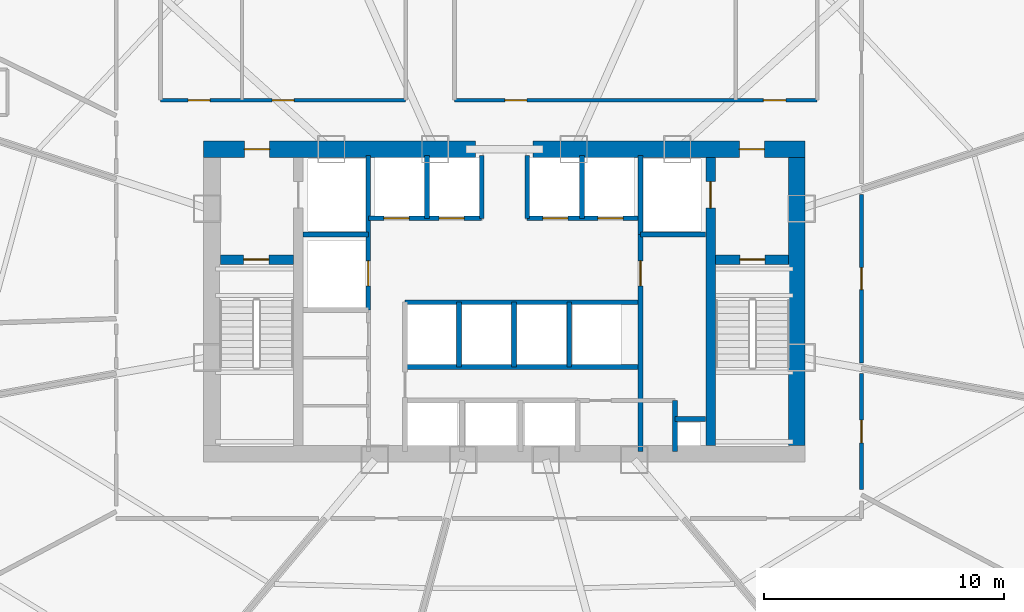
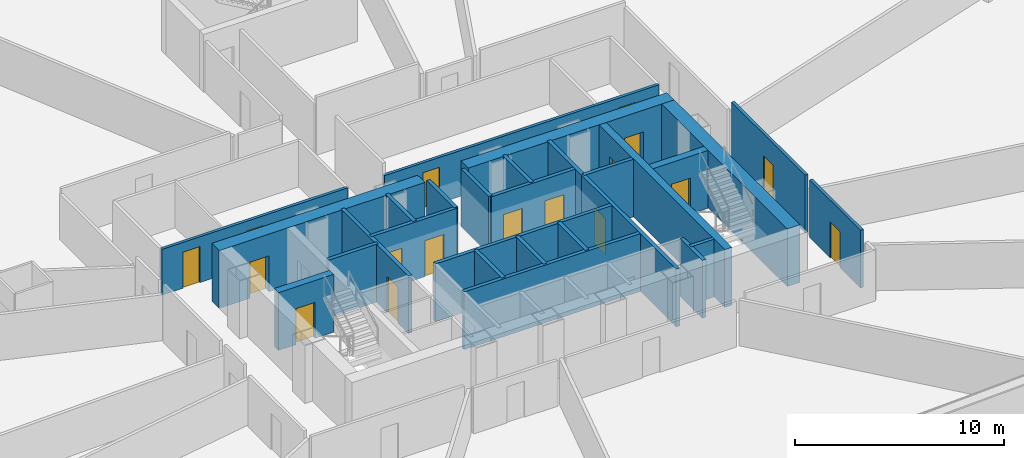
# One storey, part 30 of 37: 28 walls, 17 doors, 17 openings.
"""IFC4 building model written with IfcOpenShell, lengths in metres."""

from ifc_helpers import new_model, si_unit, direction, frame, frame_2d, origin, origin_with_axes, place, context, subcontext, project, spatial, rectangle, extrude, source, transform, mapped, material, layer, layer_set, type_object, element, fill, save


model = new_model("IFC4")

# Units and contexts
model_context = context("Model", 3, precision=1e-05, world=origin(), true_north=direction((0.0, 1.0)))
body_context = subcontext(model_context, "Body", "Model", "MODEL_VIEW")
ifc_project = project(units=[si_unit("LENGTHUNIT", "METRE"), si_unit("AREAUNIT", "SQUARE_METRE"), si_unit("VOLUMEUNIT", "CUBIC_METRE"), si_unit("PLANEANGLEUNIT", "RADIAN"), si_unit("MASSUNIT", "GRAM", prefix="KILO"), si_unit("THERMODYNAMICTEMPERATUREUNIT", "KELVIN"), si_unit("POWERUNIT", "WATT")], contexts=[model_context])

# Site, building, storey
site_placement = place(None, origin())
site = spatial("IfcSite", under=ifc_project, at=site_placement, CompositionType="ELEMENT")
building_placement = place(site_placement, origin())
building = spatial("IfcBuilding", under=site, at=building_placement, Name="Yunzhuo Pagoda Commons", CompositionType="ELEMENT")
storey_placement = place(building_placement, frame((0.0, 0.0, 59.43994140625)))
storey = spatial("IfcBuildingStorey", under=building, at=storey_placement, Name="L15", CompositionType="ELEMENT", Elevation=59.43994140625)

# Wall, opening, door
ifc_material_1 = material(Name="Concrete C60", Category="concrete")
ifc_layer_1 = layer(ifc_material_1, 0.699951171875)
ifc_layer_set_1 = layer_set([ifc_layer_1], Name="Concrete C60")
wall_type_1 = type_object("IfcWallType", Name="W-C01 Lower Core Shear Wall 700", PredefinedType="SHEAR", material=ifc_layer_set_1)
wall_1_placement = place(storey_placement, frame((35.449951171875, 40.199951171875, 0.0), z_axis=(0.0, 0.0, 1.0), x_axis=(1.0, 0.0, 0.0)))
wall_1 = element("IfcWall", 1, at=wall_1_placement, inside=storey, type_object=wall_type_1, Name="L15 core shear wall NW", PredefinedType="SHEAR", context=body_context, shape_type="SweptSolid", body=[
    extrude(rectangle(XDim=11.35009765625, YDim=0.699951171875, at=frame_2d((5.675048828125, 0.0))), origin(), (0.0, 0.0, 1.0), 3.3701171875),
])
opening_1_placement = place(wall_1_placement, frame((1.699951171875, 0.0, 0.0)))
opening_1 = element("IfcOpeningElement", 2, at=opening_1_placement, cuts=wall_1, Name="Opening D-02", PredefinedType="OPENING", context=body_context, shape_type="SweptSolid", body=[
    extrude(rectangle(XDim=1.050048828125, YDim=2.10009765625, at=frame_2d((0.52490234375, 1.050048828125))), frame((0.0, 0.35986328125, 0.0), z_axis=(0.0, -1.0, 0.0), x_axis=(1.0, 0.0, 0.0)), (0.0, 0.0, 1.0), 0.719970703125),
])
ifc_material_2 = material(Name="Galvanized fire-resisting metal leaf")
door_type_1 = type_object("IfcDoorType", Name="D-02 Firefighting Lobby & Refuge Fire Door 1050x2100", OperationType="NOTDEFINED", PredefinedType="DOOR", material=ifc_material_2)
shared_shape_1 = source(origin(), body_context, "Body", "SweptSolid", [
    extrude(rectangle(XDim=1.050048828125, YDim=2.10009765625, at=frame_2d((0.52490234375, 1.050048828125))), frame((0.0, 0.02490234375, 0.0), z_axis=(0.0, -1.0, 0.0), x_axis=(1.0, 0.0, 0.0)), (0.0, 0.0, 1.0), 0.050048828125),
])
door_1_placement = place(opening_1_placement, frame((1.050048828125, 0.0, 0.0), z_axis=(0.0, 0.0, 1.0), x_axis=(-1.0, 0.0, 0.0)))
door_1 = element("IfcDoor", 3, at=door_1_placement, inside=storey, type_object=door_type_1, Name="L15 Firefighting Lobby 1 fire door", OperationType="SINGLE_SWING_LEFT", OverallHeight=2.10009765625, OverallWidth=1.050048828125, PredefinedType="DOOR", context=body_context, shape_type="MappedRepresentation", body=[
    mapped(shared_shape_1, transform((0.0, 0.0, 0.0), scale=1.0)),
])
fill(opening_1, door_1)

wall_2_placement = place(storey_placement, frame((49.199951171875, 40.199951171875, 0.0), z_axis=(0.0, 0.0, 1.0), x_axis=(1.0, 0.0, 0.0)))
wall_2 = element("IfcWall", 4, at=wall_2_placement, inside=storey, type_object=wall_type_1, Name="L15 core shear wall NE", PredefinedType="SHEAR", context=body_context, shape_type="SweptSolid", body=[
    extrude(rectangle(XDim=11.35009765625, YDim=0.699951171875, at=frame_2d((5.675048828125, 0.0))), origin(), (0.0, 0.0, 1.0), 3.3701171875),
])
opening_2_placement = place(wall_2_placement, frame((8.60009765625, 0.0, 0.0)))
opening_2 = element("IfcOpeningElement", 5, at=opening_2_placement, cuts=wall_2, Name="Opening D-02", PredefinedType="OPENING", context=body_context, shape_type="SweptSolid", body=[
    extrude(rectangle(XDim=1.050048828125, YDim=2.10009765625, at=frame_2d((0.52490234375, 1.050048828125))), frame((0.0, 0.35986328125, 0.0), z_axis=(0.0, -1.0, 0.0), x_axis=(1.0, 0.0, 0.0)), (0.0, 0.0, 1.0), 0.719970703125),
])
door_2_placement = place(opening_2_placement, frame((1.050048828125, 0.0, 0.0), z_axis=(0.0, 0.0, 1.0), x_axis=(-1.0, 0.0, 0.0)))
door_2 = element("IfcDoor", 6, at=door_2_placement, inside=storey, type_object=door_type_1, Name="L15 Firefighting Lobby 2 fire door", OperationType="SINGLE_SWING_RIGHT", OverallHeight=2.10009765625, OverallWidth=1.050048828125, PredefinedType="DOOR", context=body_context, shape_type="MappedRepresentation", body=[
    mapped(shared_shape_1, transform((0.0, 0.0, 0.0), scale=1.0)),
])
fill(opening_2, door_2)

# Wall
wall_3_placement = place(storey_placement, frame((60.199951171875, 27.85009765625, 0.0), z_axis=(0.0, 0.0, 1.0), x_axis=(0.0, 1.0, 0.0)))
element("IfcWall", 7, at=wall_3_placement, inside=storey, type_object=wall_type_1, Name="L15 core shear wall E", PredefinedType="SHEAR", context=body_context, shape_type="SweptSolid", body=[
    extrude(rectangle(XDim=12.0, YDim=0.699951171875, at=frame_2d((6.0, 0.0))), origin(), (0.0, 0.0, 1.0), 3.3701171875),
])

# Wall, openings, doors
ifc_material_3 = material(Name="Gypsum plasterboard on acoustic stud")
ifc_layer_2 = layer(ifc_material_3, 0.159912109375)
ifc_layer_set_2 = layer_set([ifc_layer_2], Name="Gypsum plasterboard on acoustic stud")
wall_type_2 = type_object("IfcWallType", Name="W-COR1 Tower Rated Corridor Wall 160", PredefinedType="PARTITIONING", material=ifc_layer_set_2)
wall_4_placement = place(storey_placement, frame((33.64990234375, 42.25, 0.0), z_axis=(0.0, 0.0, 1.0), x_axis=(1.0, 0.0, 0.0)))
wall_4 = element("IfcWall", 8, at=wall_4_placement, inside=storey, type_object=wall_type_2, Name="L15 interior wall IW-L15-ISLWS", PredefinedType="PARTITIONING", context=body_context, shape_type="SweptSolid", body=[
    extrude(rectangle(XDim=10.22998046875, YDim=0.159912109375, at=frame_2d((5.114990234375, 0.0))), origin(), (0.0, 0.0, 1.0), 2.670166015625),
])
opening_3_placement = place(wall_4_placement, frame((1.14990234375, 0.0, 0.0)))
opening_3 = element("IfcOpeningElement", 9, at=opening_3_placement, cuts=wall_4, Name="Opening D-04", PredefinedType="OPENING", context=body_context, shape_type="SweptSolid", body=[
    extrude(rectangle(XDim=0.919921875, YDim=2.10009765625, at=frame_2d((0.4599609375, 1.050048828125))), frame((0.0, 0.08984375, 0.0), z_axis=(0.0, -1.0, 0.0), x_axis=(1.0, 0.0, 0.0)), (0.0, 0.0, 1.0), 0.179931640625),
])
opening_4_placement = place(wall_4_placement, frame((4.64990234375, 0.0, 0.0)))
opening_4 = element("IfcOpeningElement", 10, at=opening_4_placement, cuts=wall_4, Name="Opening D-04", PredefinedType="OPENING", context=body_context, shape_type="SweptSolid", body=[
    extrude(rectangle(XDim=0.919921875, YDim=2.10009765625, at=frame_2d((0.4599609375, 1.050048828125))), frame((0.0, 0.08984375, 0.0), z_axis=(0.0, -1.0, 0.0), x_axis=(1.0, 0.0, 0.0)), (0.0, 0.0, 1.0), 0.179931640625),
])
ifc_material_4 = material(Name="Powder-coated aluminium and timber acoustic leaf", Category="wood")
door_type_2 = type_object("IfcDoorType", Name="D-04 Bedroom & Study Interior Door 920x2100", OperationType="NOTDEFINED", PredefinedType="DOOR", material=ifc_material_4)
shared_shape_2 = source(origin(), body_context, "Body", "SweptSolid", [
    extrude(rectangle(XDim=0.919921875, YDim=2.10009765625, at=frame_2d((0.4599609375, 1.050048828125))), frame((0.0, 0.02490234375, 0.0), z_axis=(0.0, -1.0, 0.0), x_axis=(1.0, 0.0, 0.0)), (0.0, 0.0, 1.0), 0.050048828125),
])
door_3_placement = place(opening_3_placement, frame((0.919921875, 0.0, 0.0), z_axis=(0.0, 0.0, 1.0), x_axis=(-1.0, 0.0, 0.0)))
door_3 = element("IfcDoor", 11, at=door_3_placement, inside=storey, type_object=door_type_2, Name="L15 laundry door", OperationType="SINGLE_SWING_LEFT", OverallHeight=2.10009765625, OverallWidth=0.919921875, PredefinedType="DOOR", context=body_context, shape_type="MappedRepresentation", body=[
    mapped(shared_shape_2, transform((0.0, 0.0, 0.0), scale=1.0)),
])
fill(opening_3, door_3)
door_4_placement = place(opening_4_placement, frame((0.919921875, 0.0, 0.0), z_axis=(0.0, 0.0, 1.0), x_axis=(-1.0, 0.0, 0.0)))
door_4 = element("IfcDoor", 12, at=door_4_placement, inside=storey, type_object=door_type_2, Name="L15 study commons W door", OperationType="SINGLE_SWING_RIGHT", OverallHeight=2.10009765625, OverallWidth=0.919921875, PredefinedType="DOOR", context=body_context, shape_type="MappedRepresentation", body=[
    mapped(shared_shape_2, transform((0.0, 0.0, 0.0), scale=1.0)),
])
fill(opening_4, door_4)

wall_5_placement = place(storey_placement, frame((45.919921875, 42.25, 0.0), z_axis=(0.0, 0.0, 1.0), x_axis=(1.0, 0.0, 0.0)))
wall_5 = element("IfcWall", 13, at=wall_5_placement, inside=storey, type_object=wall_type_2, Name="L15 interior wall IW-L15-ISLES", PredefinedType="PARTITIONING", context=body_context, shape_type="SweptSolid", body=[
    extrude(rectangle(XDim=15.130126953125, YDim=0.159912109375, at=frame_2d((7.56494140625, 0.0))), origin(), (0.0, 0.0, 1.0), 2.670166015625),
])
opening_5_placement = place(wall_5_placement, frame((2.10009765625, 0.0, 0.0)))
opening_5 = element("IfcOpeningElement", 14, at=opening_5_placement, cuts=wall_5, Name="Opening D-04", PredefinedType="OPENING", context=body_context, shape_type="SweptSolid", body=[
    extrude(rectangle(XDim=0.919921875, YDim=2.10009765625, at=frame_2d((0.4599609375, 1.050048828125))), frame((0.0, 0.08984375, 0.0), z_axis=(0.0, -1.0, 0.0), x_axis=(1.0, 0.0, 0.0)), (0.0, 0.0, 1.0), 0.179931640625),
])
opening_6_placement = place(wall_5_placement, frame((12.8798828125, 0.0, 0.0)))
opening_6 = element("IfcOpeningElement", 15, at=opening_6_placement, cuts=wall_5, Name="Opening D-11", PredefinedType="OPENING", context=body_context, shape_type="SweptSolid", body=[
    extrude(rectangle(XDim=0.93994140625, YDim=2.10009765625, at=frame_2d((0.469970703125, 1.050048828125))), frame((0.0, 0.08984375, 0.0), z_axis=(0.0, -1.0, 0.0), x_axis=(1.0, 0.0, 0.0)), (0.0, 0.0, 1.0), 0.179931640625),
])
door_type_3 = type_object("IfcDoorType", Name="D-11 Accessible Washroom Fire Door 940x2100", OperationType="NOTDEFINED", PredefinedType="DOOR", material=ifc_material_2)
shared_shape_3 = source(origin(), body_context, "Body", "SweptSolid", [
    extrude(rectangle(XDim=0.93994140625, YDim=2.10009765625, at=frame_2d((0.469970703125, 1.050048828125))), frame((0.0, 0.02490234375, 0.0), z_axis=(0.0, -1.0, 0.0), x_axis=(1.0, 0.0, 0.0)), (0.0, 0.0, 1.0), 0.050048828125),
])
door_5_placement = place(opening_6_placement, frame((0.93994140625, 0.0, 0.0), z_axis=(0.0, 0.0, 1.0), x_axis=(-1.0, 0.0, 0.0)))
door_5 = element("IfcDoor", 16, at=door_5_placement, inside=storey, type_object=door_type_3, Name="L15 accessible WC door", OperationType="SINGLE_SWING_RIGHT", OverallHeight=2.10009765625, OverallWidth=0.93994140625, PredefinedType="DOOR", context=body_context, shape_type="MappedRepresentation", body=[
    mapped(shared_shape_3, transform((0.0, 0.0, 0.0), scale=1.0)),
])
fill(opening_6, door_5)
door_6_placement = place(opening_5_placement, frame((0.919921875, 0.0, 0.0), z_axis=(0.0, 0.0, 1.0), x_axis=(-1.0, 0.0, 0.0)))
door_6 = element("IfcDoor", 17, at=door_6_placement, inside=storey, type_object=door_type_2, Name="L15 reading commons door", OperationType="SINGLE_SWING_LEFT", OverallHeight=2.10009765625, OverallWidth=0.919921875, PredefinedType="DOOR", context=body_context, shape_type="MappedRepresentation", body=[
    mapped(shared_shape_2, transform((0.0, 0.0, 0.0), scale=1.0)),
])
fill(opening_5, door_6)

# Wall, opening, door
wall_6_placement = place(storey_placement, frame((62.89990234375, 38.321533203125, 0.0), z_axis=(0.0, 0.0, 1.0), x_axis=(0.0, -1.0, 0.0)))
wall_6 = element("IfcWall", 18, at=wall_6_placement, inside=storey, type_object=wall_type_2, Name="L15 interior wall IW-L15-CWL14", PredefinedType="PARTITIONING", context=body_context, shape_type="SweptSolid", body=[
    extrude(rectangle(XDim=7.029052734375, YDim=0.159912109375, at=frame_2d((3.5146484375, 0.0))), origin(), (0.0, 0.0, 1.0), 3.3701171875),
])
opening_7_placement = place(wall_6_placement, frame((3.054443359375, 0.0, 0.0)))
opening_7 = element("IfcOpeningElement", 19, at=opening_7_placement, cuts=wall_6, Name="Opening D-04", PredefinedType="OPENING", context=body_context, shape_type="SweptSolid", body=[
    extrude(rectangle(XDim=0.919921875, YDim=2.10009765625, at=frame_2d((0.4599609375, 1.050048828125))), frame((0.0, 0.08984375, 0.0), z_axis=(0.0, -1.0, 0.0), x_axis=(1.0, 0.0, 0.0)), (0.0, 0.0, 1.0), 0.179931640625),
])
door_7_placement = place(opening_7_placement, origin_with_axes())
door_7 = element("IfcDoor", 20, at=door_7_placement, inside=storey, type_object=door_type_2, Name="L15 seminar room 01 door", OperationType="SINGLE_SWING_LEFT", OverallHeight=2.10009765625, OverallWidth=0.919921875, PredefinedType="DOOR", context=body_context, shape_type="MappedRepresentation", body=[
    mapped(shared_shape_2, transform((0.0, 0.0, 0.0), scale=1.0)),
])
fill(opening_7, door_7)

wall_7_placement = place(storey_placement, frame((62.89990234375, 30.849365234375, 0.0), z_axis=(0.0, 0.0, 1.0), x_axis=(0.0, -1.0, 0.0)))
wall_7 = element("IfcWall", 21, at=wall_7_placement, inside=storey, type_object=wall_type_2, Name="L15 interior wall IW-L15-CWL15", PredefinedType="PARTITIONING", context=body_context, shape_type="SweptSolid", body=[
    extrude(rectangle(XDim=4.851806640625, YDim=0.159912109375, at=frame_2d((2.42578125, 0.0))), origin(), (0.0, 0.0, 1.0), 3.3701171875),
])
opening_8_placement = place(wall_7_placement, frame((1.94921875, 0.0, 0.0)))
opening_8 = element("IfcOpeningElement", 22, at=opening_8_placement, cuts=wall_7, Name="Opening D-06", PredefinedType="OPENING", context=body_context, shape_type="SweptSolid", body=[
    extrude(rectangle(XDim=0.949951171875, YDim=2.10009765625, at=frame_2d((0.47509765625, 1.050048828125))), frame((0.0, 0.08984375, 0.0), z_axis=(0.0, -1.0, 0.0), x_axis=(1.0, 0.0, 0.0)), (0.0, 0.0, 1.0), 0.179931640625),
])
door_type_4 = type_object("IfcDoorType", Name="D-06 Co-Living Suite Entrance Fire Door 950x2100", OperationType="NOTDEFINED", PredefinedType="DOOR", material=ifc_material_2)
shared_shape_4 = source(origin(), body_context, "Body", "SweptSolid", [
    extrude(rectangle(XDim=0.949951171875, YDim=2.10009765625, at=frame_2d((0.47509765625, 1.050048828125))), frame((0.0, 0.02490234375, 0.0), z_axis=(0.0, -1.0, 0.0), x_axis=(1.0, 0.0, 0.0)), (0.0, 0.0, 1.0), 0.050048828125),
])
door_8_placement = place(opening_8_placement, origin_with_axes())
door_8 = element("IfcDoor", 23, at=door_8_placement, inside=storey, type_object=door_type_4, Name="L15 unit 14 entrance door", OperationType="SINGLE_SWING_RIGHT", OverallHeight=2.10009765625, OverallWidth=0.949951171875, PredefinedType="DOOR", context=body_context, shape_type="MappedRepresentation", body=[
    mapped(shared_shape_4, transform((0.0, 0.0, 0.0), scale=1.0)),
])
fill(opening_8, door_8)

ifc_layer_3 = layer(ifc_material_1, 0.39990234375)
ifc_layer_set_3 = layer_set([ifc_layer_3], Name="Concrete C60")
wall_type_3 = type_object("IfcWallType", Name="W-S01 Internal Core Shear Web 400", PredefinedType="SHEAR", material=ifc_layer_set_3)
wall_8_placement = place(storey_placement, frame((56.60009765625, 27.85009765625, 0.0), z_axis=(0.0, 0.0, 1.0), x_axis=(0.0, 1.0, 0.0)))
wall_8 = element("IfcWall", 24, at=wall_8_placement, inside=storey, type_object=wall_type_3, Name="L15 core shear wall WEBE", PredefinedType="SHEAR", context=body_context, shape_type="SweptSolid", body=[
    extrude(rectangle(XDim=12.0, YDim=0.39990234375, at=frame_2d((6.0, 0.0))), origin(), (0.0, 0.0, 1.0), 3.3701171875),
])
opening_9_placement = place(wall_8_placement, frame((9.89990234375, 0.0, 0.0)))
opening_9 = element("IfcOpeningElement", 25, at=opening_9_placement, cuts=wall_8, Name="Opening LD-01", PredefinedType="OPENING", context=body_context, shape_type="SweptSolid", body=[
    extrude(rectangle(XDim=1.10009765625, YDim=2.10009765625, at=frame_2d((0.550048828125, 1.050048828125))), frame((0.0, 0.2099609375, 0.0), z_axis=(0.0, -1.0, 0.0), x_axis=(1.0, 0.0, 0.0)), (0.0, 0.0, 1.0), 0.419921875),
])
door_type_5 = type_object("IfcDoorType", Name="LD-01 Firefighting Lift Landing Door 1100x2100", OperationType="DOUBLE_DOOR_SLIDING", PredefinedType="DOOR", material=ifc_material_2)
shared_shape_5 = source(origin(), body_context, "Body", "SweptSolid", [
    extrude(rectangle(XDim=1.10009765625, YDim=2.10009765625, at=frame_2d((0.550048828125, 1.050048828125))), frame((0.0, 0.02490234375, 0.0), z_axis=(0.0, -1.0, 0.0), x_axis=(1.0, 0.0, 0.0)), (0.0, 0.0, 1.0), 0.050048828125),
])
door_9_placement = place(opening_9_placement, origin_with_axes())
door_9 = element("IfcDoor", 26, at=door_9_placement, inside=storey, type_object=door_type_5, Name="L15 Firefighting lift FL-2 landing door", OperationType="DOUBLE_DOOR_SLIDING", OverallHeight=2.10009765625, OverallWidth=1.10009765625, PredefinedType="DOOR", context=body_context, shape_type="MappedRepresentation", body=[
    mapped(shared_shape_5, transform((0.0, 0.0, 0.0), scale=1.0)),
])
fill(opening_9, door_9)

wall_9_placement = place(storey_placement, frame((36.14990234375, 35.60009765625, 0.0), z_axis=(0.0, 0.0, 1.0), x_axis=(1.0, 0.0, 0.0)))
wall_9 = element("IfcWall", 27, at=wall_9_placement, inside=storey, type_object=wall_type_3, Name="L15 core shear wall STW", PredefinedType="SHEAR", context=body_context, shape_type="SweptSolid", body=[
    extrude(rectangle(XDim=3.050048828125, YDim=0.39990234375, at=frame_2d((1.52490234375, 0.0))), origin(), (0.0, 0.0, 1.0), 3.3701171875),
])
opening_10_placement = place(wall_9_placement, frame((0.969970703125, 0.0, 0.0)))
opening_10 = element("IfcOpeningElement", 28, at=opening_10_placement, cuts=wall_9, Name="Opening D-01", PredefinedType="OPENING", context=body_context, shape_type="SweptSolid", body=[
    extrude(rectangle(XDim=1.050048828125, YDim=2.10009765625, at=frame_2d((0.52490234375, 1.050048828125))), frame((0.0, 0.2099609375, 0.0), z_axis=(0.0, -1.0, 0.0), x_axis=(1.0, 0.0, 0.0)), (0.0, 0.0, 1.0), 0.419921875),
])
door_type_6 = type_object("IfcDoorType", Name="D-01 Smokeproof Stair Fire Door 1050x2100", OperationType="NOTDEFINED", PredefinedType="DOOR", material=ifc_material_2)
door_10_placement = place(opening_10_placement, frame((1.050048828125, 0.0, 0.0), z_axis=(0.0, 0.0, 1.0), x_axis=(-1.0, 0.0, 0.0)))
door_10 = element("IfcDoor", 29, at=door_10_placement, inside=storey, type_object=door_type_6, Name="L15 Stair ST1 fire door", OperationType="SINGLE_SWING_LEFT", OverallHeight=2.10009765625, OverallWidth=1.050048828125, PredefinedType="DOOR", context=body_context, shape_type="MappedRepresentation", body=[
    mapped(shared_shape_1, transform((0.0, 0.0, 0.0), scale=1.0)),
])
fill(opening_10, door_10)

wall_10_placement = place(storey_placement, frame((56.800048828125, 35.60009765625, 0.0), z_axis=(0.0, 0.0, 1.0), x_axis=(1.0, 0.0, 0.0)))
wall_10 = element("IfcWall", 30, at=wall_10_placement, inside=storey, type_object=wall_type_3, Name="L15 core shear wall STE", PredefinedType="SHEAR", context=body_context, shape_type="SweptSolid", body=[
    extrude(rectangle(XDim=3.050048828125, YDim=0.39990234375, at=frame_2d((1.52490234375, 0.0))), origin(), (0.0, 0.0, 1.0), 3.3701171875),
])
opening_11_placement = place(wall_10_placement, frame((1.02001953125, 0.0, 0.0)))
opening_11 = element("IfcOpeningElement", 31, at=opening_11_placement, cuts=wall_10, Name="Opening D-01", PredefinedType="OPENING", context=body_context, shape_type="SweptSolid", body=[
    extrude(rectangle(XDim=1.050048828125, YDim=2.10009765625, at=frame_2d((0.52490234375, 1.050048828125))), frame((0.0, 0.2099609375, 0.0), z_axis=(0.0, -1.0, 0.0), x_axis=(1.0, 0.0, 0.0)), (0.0, 0.0, 1.0), 0.419921875),
])
door_11_placement = place(opening_11_placement, frame((1.050048828125, 0.0, 0.0), z_axis=(0.0, 0.0, 1.0), x_axis=(-1.0, 0.0, 0.0)))
door_11 = element("IfcDoor", 32, at=door_11_placement, inside=storey, type_object=door_type_6, Name="L15 Stair ST2 fire door", OperationType="SINGLE_SWING_RIGHT", OverallHeight=2.10009765625, OverallWidth=1.050048828125, PredefinedType="DOOR", context=body_context, shape_type="MappedRepresentation", body=[
    mapped(shared_shape_1, transform((0.0, 0.0, 0.0), scale=1.0)),
])
fill(opening_11, door_11)

ifc_material_5 = material(Name="Concrete C40", Category="concrete")
ifc_layer_4 = layer(ifc_material_5, 0.199951171875)
ifc_layer_set_4 = layer_set([ifc_layer_4], Name="Concrete C40")
wall_type_4 = type_object("IfcWallType", Name="W-SHF Shaft & Stair Enclosure Wall 200", PredefinedType="SOLIDWALL", material=ifc_layer_set_4)
wall_11_placement = place(storey_placement, frame((42.320068359375, 33.5, 0.0), z_axis=(0.0, 0.0, 1.0), x_axis=(0.0, 1.0, 0.0)))
wall_11 = element("IfcWall", 33, at=wall_11_placement, inside=storey, type_object=wall_type_4, Name="L15 interior wall IW-L15-FL1E", PredefinedType="SOLIDWALL", context=body_context, shape_type="SweptSolid", body=[
    extrude(rectangle(XDim=6.449951171875, YDim=0.199951171875, at=frame_2d((3.22509765625, 0.0))), origin(), (0.0, 0.0, 1.0), 3.3701171875),
])
opening_12_placement = place(wall_11_placement, frame((1.0, 0.0, 0.0)))
opening_12 = element("IfcOpeningElement", 34, at=opening_12_placement, cuts=wall_11, Name="Opening LD-02", PredefinedType="OPENING", context=body_context, shape_type="SweptSolid", body=[
    extrude(rectangle(XDim=1.050048828125, YDim=2.10009765625, at=frame_2d((0.52490234375, 1.050048828125))), frame((0.0, 0.10986328125, 0.0), z_axis=(0.0, -1.0, 0.0), x_axis=(1.0, 0.0, 0.0)), (0.0, 0.0, 1.0), 0.219970703125),
])
door_type_7 = type_object("IfcDoorType", Name="LD-02 Passenger Lift Landing Door 1050x2100", OperationType="DOUBLE_DOOR_SLIDING", PredefinedType="DOOR", material=ifc_material_2)
door_12_placement = place(opening_12_placement, origin_with_axes())
door_12 = element("IfcDoor", 35, at=door_12_placement, inside=storey, type_object=door_type_7, Name="L15 Service lift SL-1 landing door", OperationType="DOUBLE_DOOR_SLIDING", OverallHeight=2.10009765625, OverallWidth=1.050048828125, PredefinedType="DOOR", context=body_context, shape_type="MappedRepresentation", body=[
    mapped(shared_shape_1, transform((0.0, 0.0, 0.0), scale=1.0)),
])
fill(opening_12, door_12)

# Walls
wall_12_placement = place(storey_placement, frame((39.60009765625, 36.64990234375, 0.0), z_axis=(0.0, 0.0, 1.0), x_axis=(1.0, 0.0, 0.0)))
element("IfcWall", 36, at=wall_12_placement, inside=storey, type_object=wall_type_4, Name="L15 interior wall IW-L15-FL1S", PredefinedType="SOLIDWALL", context=body_context, shape_type="SweptSolid", body=[
    extrude(rectangle(XDim=2.719970703125, YDim=0.199951171875, at=frame_2d((1.35986328125, 0.0))), origin(), (0.0, 0.0, 1.0), 3.3701171875),
])
wall_13_placement = place(storey_placement, frame((53.679931640625, 36.64990234375, 0.0), z_axis=(0.0, 0.0, 1.0), x_axis=(0.0, 1.0, 0.0)))
element("IfcWall", 37, at=wall_13_placement, inside=storey, type_object=wall_type_4, Name="L15 interior wall IW-L15-FL2W", PredefinedType="SOLIDWALL", context=body_context, shape_type="SweptSolid", body=[
    extrude(rectangle(XDim=3.300048828125, YDim=0.199951171875, at=frame_2d((1.64990234375, 0.0))), origin(), (0.0, 0.0, 1.0), 3.3701171875),
])
wall_14_placement = place(storey_placement, frame((53.679931640625, 36.64990234375, 0.0), z_axis=(0.0, 0.0, 1.0), x_axis=(1.0, 0.0, 0.0)))
element("IfcWall", 38, at=wall_14_placement, inside=storey, type_object=wall_type_4, Name="L15 interior wall IW-L15-FL2S", PredefinedType="SOLIDWALL", context=body_context, shape_type="SweptSolid", body=[
    extrude(rectangle(XDim=2.719970703125, YDim=0.199951171875, at=frame_2d((1.35986328125, 0.0))), origin(), (0.0, 0.0, 1.0), 3.3701171875),
])

# Wall, openings, doors
wall_15_placement = place(storey_placement, frame((42.320068359375, 37.320068359375, 0.0), z_axis=(0.0, 0.0, 1.0), x_axis=(1.0, 0.0, 0.0)))
wall_15 = element("IfcWall", 39, at=wall_15_placement, inside=storey, type_object=wall_type_4, Name="L15 interior wall IW-L15-LBNW", PredefinedType="SOLIDWALL", context=body_context, shape_type="SweptSolid", body=[
    extrude(rectangle(XDim=4.72998046875, YDim=0.199951171875, at=frame_2d((2.364990234375, 0.0))), origin(), (0.0, 0.0, 1.0), 3.3701171875),
])
opening_13_placement = place(wall_15_placement, frame((0.64990234375, 0.0, 0.0)))
opening_13 = element("IfcOpeningElement", 40, at=opening_13_placement, cuts=wall_15, Name="Opening LD-02", PredefinedType="OPENING", context=body_context, shape_type="SweptSolid", body=[
    extrude(rectangle(XDim=1.050048828125, YDim=2.10009765625, at=frame_2d((0.52490234375, 1.050048828125))), frame((0.0, 0.10986328125, 0.0), z_axis=(0.0, -1.0, 0.0), x_axis=(1.0, 0.0, 0.0)), (0.0, 0.0, 1.0), 0.219970703125),
])
opening_14_placement = place(wall_15_placement, frame((2.949951171875, 0.0, 0.0)))
opening_14 = element("IfcOpeningElement", 41, at=opening_14_placement, cuts=wall_15, Name="Opening LD-02", PredefinedType="OPENING", context=body_context, shape_type="SweptSolid", body=[
    extrude(rectangle(XDim=1.050048828125, YDim=2.10009765625, at=frame_2d((0.52490234375, 1.050048828125))), frame((0.0, 0.10986328125, 0.0), z_axis=(0.0, -1.0, 0.0), x_axis=(1.0, 0.0, 0.0)), (0.0, 0.0, 1.0), 0.219970703125),
])
door_13_placement = place(opening_13_placement, frame((1.050048828125, 0.0, 0.0), z_axis=(0.0, 0.0, 1.0), x_axis=(-1.0, 0.0, 0.0)))
door_13 = element("IfcDoor", 42, at=door_13_placement, inside=storey, type_object=door_type_7, Name="L15 Passenger lift PL-L1 landing door", OperationType="DOUBLE_DOOR_SLIDING", OverallHeight=2.10009765625, OverallWidth=1.050048828125, PredefinedType="DOOR", context=body_context, shape_type="MappedRepresentation", body=[
    mapped(shared_shape_1, transform((0.0, 0.0, 0.0), scale=1.0)),
])
fill(opening_13, door_13)
door_14_placement = place(opening_14_placement, frame((1.050048828125, 0.0, 0.0), z_axis=(0.0, 0.0, 1.0), x_axis=(-1.0, 0.0, 0.0)))
door_14 = element("IfcDoor", 43, at=door_14_placement, inside=storey, type_object=door_type_7, Name="L15 Passenger lift PL-L2 landing door", OperationType="DOUBLE_DOOR_SLIDING", OverallHeight=2.10009765625, OverallWidth=1.050048828125, PredefinedType="DOOR", context=body_context, shape_type="MappedRepresentation", body=[
    mapped(shared_shape_1, transform((0.0, 0.0, 0.0), scale=1.0)),
])
fill(opening_14, door_14)

wall_16_placement = place(storey_placement, frame((48.949951171875, 37.320068359375, 0.0), z_axis=(0.0, 0.0, 1.0), x_axis=(1.0, 0.0, 0.0)))
wall_16 = element("IfcWall", 44, at=wall_16_placement, inside=storey, type_object=wall_type_4, Name="L15 interior wall IW-L15-LBNE", PredefinedType="SOLIDWALL", context=body_context, shape_type="SweptSolid", body=[
    extrude(rectangle(XDim=4.72998046875, YDim=0.199951171875, at=frame_2d((2.364990234375, 0.0))), origin(), (0.0, 0.0, 1.0), 3.3701171875),
])
opening_15_placement = place(wall_16_placement, frame((0.64990234375, 0.0, 0.0)))
opening_15 = element("IfcOpeningElement", 45, at=opening_15_placement, cuts=wall_16, Name="Opening LD-02", PredefinedType="OPENING", context=body_context, shape_type="SweptSolid", body=[
    extrude(rectangle(XDim=1.050048828125, YDim=2.10009765625, at=frame_2d((0.52490234375, 1.050048828125))), frame((0.0, 0.10986328125, 0.0), z_axis=(0.0, -1.0, 0.0), x_axis=(1.0, 0.0, 0.0)), (0.0, 0.0, 1.0), 0.219970703125),
])
opening_16_placement = place(wall_16_placement, frame((2.949951171875, 0.0, 0.0)))
opening_16 = element("IfcOpeningElement", 46, at=opening_16_placement, cuts=wall_16, Name="Opening LD-02", PredefinedType="OPENING", context=body_context, shape_type="SweptSolid", body=[
    extrude(rectangle(XDim=1.050048828125, YDim=2.10009765625, at=frame_2d((0.52490234375, 1.050048828125))), frame((0.0, 0.10986328125, 0.0), z_axis=(0.0, -1.0, 0.0), x_axis=(1.0, 0.0, 0.0)), (0.0, 0.0, 1.0), 0.219970703125),
])
door_15_placement = place(opening_15_placement, frame((1.050048828125, 0.0, 0.0), z_axis=(0.0, 0.0, 1.0), x_axis=(-1.0, 0.0, 0.0)))
door_15 = element("IfcDoor", 47, at=door_15_placement, inside=storey, type_object=door_type_7, Name="L15 Passenger lift PL-L3 landing door", OperationType="DOUBLE_DOOR_SLIDING", OverallHeight=2.10009765625, OverallWidth=1.050048828125, PredefinedType="DOOR", context=body_context, shape_type="MappedRepresentation", body=[
    mapped(shared_shape_1, transform((0.0, 0.0, 0.0), scale=1.0)),
])
fill(opening_15, door_15)
door_16_placement = place(opening_16_placement, frame((1.050048828125, 0.0, 0.0), z_axis=(0.0, 0.0, 1.0), x_axis=(-1.0, 0.0, 0.0)))
door_16 = element("IfcDoor", 48, at=door_16_placement, inside=storey, type_object=door_type_7, Name="L15 Passenger lift PL-L4 landing door", OperationType="DOUBLE_DOOR_SLIDING", OverallHeight=2.10009765625, OverallWidth=1.050048828125, PredefinedType="DOOR", context=body_context, shape_type="MappedRepresentation", body=[
    mapped(shared_shape_1, transform((0.0, 0.0, 0.0), scale=1.0)),
])
fill(opening_16, door_16)

# Walls
for number, where, z_axis, x_axis, name in (
    (49, (47.050048828125, 37.320068359375, 0.0), (0.0, 0.0, 1.0), (0.0, 1.0, 0.0), "L15 interior wall IW-L15-THRW"),
    (50, (48.949951171875, 37.320068359375, 0.0), (0.0, 0.0, 1.0), (0.0, 1.0, 0.0), "L15 interior wall IW-L15-THRE"),
    (51, (44.77001953125, 37.320068359375, 0.0), (0.0, 0.0, 1.0), (0.0, 1.0, 0.0), "L15 interior wall IW-L15-PLL12"),
    (52, (51.22998046875, 37.320068359375, 0.0), (0.0, 0.0, 1.0), (0.0, 1.0, 0.0), "L15 interior wall IW-L15-PLL34"),
):
    element("IfcWall", number, at=place(storey_placement, frame(where, z_axis=z_axis, x_axis=x_axis)), inside=storey, type_object=wall_type_4, Name=name, PredefinedType="SOLIDWALL", context=body_context, shape_type="SweptSolid", body=[
        extrude(rectangle(XDim=2.6298828125, YDim=0.199951171875, at=frame_2d((1.31494140625, 0.0))), origin(), (0.0, 0.0, 1.0), 3.3701171875),
    ])
wall_17_placement = place(storey_placement, frame((43.85009765625, 33.820068359375, 0.0), z_axis=(0.0, 0.0, 1.0), x_axis=(1.0, 0.0, 0.0)))
element("IfcWall", 53, at=wall_17_placement, inside=storey, type_object=wall_type_4, Name="L15 interior wall IW-L15-MLBS", PredefinedType="SOLIDWALL", context=body_context, shape_type="SweptSolid", body=[
    extrude(rectangle(XDim=9.829833984375, YDim=0.199951171875, at=frame_2d((4.9150390625, 0.0))), origin(), (0.0, 0.0, 1.0), 3.3701171875),
])

# Wall, opening, door
wall_18_placement = place(storey_placement, frame((53.679931640625, 27.60009765625, 0.0), z_axis=(0.0, 0.0, 1.0), x_axis=(0.0, 1.0, 0.0)))
wall_18 = element("IfcWall", 54, at=wall_18_placement, inside=storey, type_object=wall_type_4, Name="L15 interior wall IW-L15-PLME", PredefinedType="SOLIDWALL", context=body_context, shape_type="SweptSolid", body=[
    extrude(rectangle(XDim=9.0498046875, YDim=0.199951171875, at=frame_2d((4.52490234375, 0.0))), origin(), (0.0, 0.0, 1.0), 3.3701171875),
])
opening_17_placement = place(wall_18_placement, frame((6.89990234375, 0.0, 0.0)))
opening_17 = element("IfcOpeningElement", 55, at=opening_17_placement, cuts=wall_18, Name="Opening D-02", PredefinedType="OPENING", context=body_context, shape_type="SweptSolid", body=[
    extrude(rectangle(XDim=1.050048828125, YDim=2.10009765625, at=frame_2d((0.52490234375, 1.050048828125))), frame((0.0, 0.10986328125, 0.0), z_axis=(0.0, -1.0, 0.0), x_axis=(1.0, 0.0, 0.0)), (0.0, 0.0, 1.0), 0.219970703125),
])
door_17_placement = place(opening_17_placement, origin_with_axes())
door_17 = element("IfcDoor", 56, at=door_17_placement, inside=storey, type_object=door_type_1, Name="L15 High-bank lift hall door", OperationType="SINGLE_SWING_RIGHT", OverallHeight=2.10009765625, OverallWidth=1.050048828125, PredefinedType="DOOR", context=body_context, shape_type="MappedRepresentation", body=[
    mapped(shared_shape_1, transform((0.0, 0.0, 0.0), scale=1.0)),
])
fill(opening_17, door_17)

# Walls
for number, where, z_axis, x_axis, name in (
    (57, (46.10009765625, 31.1201171875, 0.0), (0.0, 0.0, 1.0), (0.0, 1.0, 0.0), "L15 interior wall IW-L15-PLMD1"),
    (58, (48.39990234375, 31.1201171875, 0.0), (0.0, 0.0, 1.0), (0.0, 1.0, 0.0), "L15 interior wall IW-L15-PLMD2"),
    (59, (50.699951171875, 31.1201171875, 0.0), (0.0, 0.0, 1.0), (0.0, 1.0, 0.0), "L15 interior wall IW-L15-PLMD3"),
):
    element("IfcWall", number, at=place(storey_placement, frame(where, z_axis=z_axis, x_axis=x_axis)), inside=storey, type_object=wall_type_4, Name=name, PredefinedType="SOLIDWALL", context=body_context, shape_type="SweptSolid", body=[
        extrude(rectangle(XDim=2.699951171875, YDim=0.199951171875, at=frame_2d((1.35009765625, 0.0))), origin(), (0.0, 0.0, 1.0), 3.3701171875),
    ])
wall_19_placement = place(storey_placement, frame((43.85009765625, 31.1201171875, 0.0), z_axis=(0.0, 0.0, 1.0), x_axis=(1.0, 0.0, 0.0)))
element("IfcWall", 60, at=wall_19_placement, inside=storey, type_object=wall_type_4, Name="L15 interior wall IW-L15-PLMS2", PredefinedType="SOLIDWALL", context=body_context, shape_type="SweptSolid", body=[
    extrude(rectangle(XDim=9.829833984375, YDim=0.199951171875, at=frame_2d((4.9150390625, 0.0))), origin(), (0.0, 0.0, 1.0), 3.3701171875),
])
wall_20_placement = place(storey_placement, frame((55.1201171875, 27.60009765625, 0.0), z_axis=(0.0, 0.0, 1.0), x_axis=(0.0, 1.0, 0.0)))
element("IfcWall", 61, at=wall_20_placement, inside=storey, type_object=wall_type_4, Name="L15 interior wall IW-L15-RSHFW", PredefinedType="SOLIDWALL", context=body_context, shape_type="SweptSolid", body=[
    extrude(rectangle(XDim=2.119873046875, YDim=0.199951171875, at=frame_2d((1.06005859375, 0.0))), origin(), (0.0, 0.0, 1.0), 3.3701171875),
])
wall_21_placement = place(storey_placement, frame((55.1201171875, 28.949951171875, 0.0), z_axis=(0.0, 0.0, 1.0), x_axis=(1.0, 0.0, 0.0)))
element("IfcWall", 62, at=wall_21_placement, inside=storey, type_object=wall_type_4, Name="L15 interior wall IW-L15-RSHFN", PredefinedType="SOLIDWALL", context=body_context, shape_type="SweptSolid", body=[
    extrude(rectangle(XDim=1.27978515625, YDim=0.199951171875, at=frame_2d((0.639892578125, 0.0))), origin(), (0.0, 0.0, 1.0), 3.3701171875),
])

save(model, "model.ifc")
